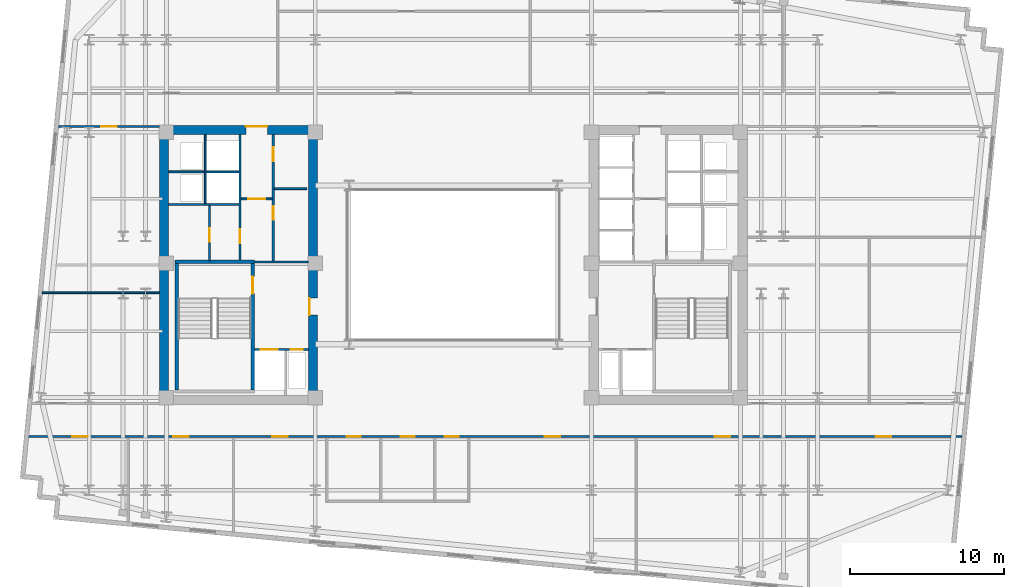
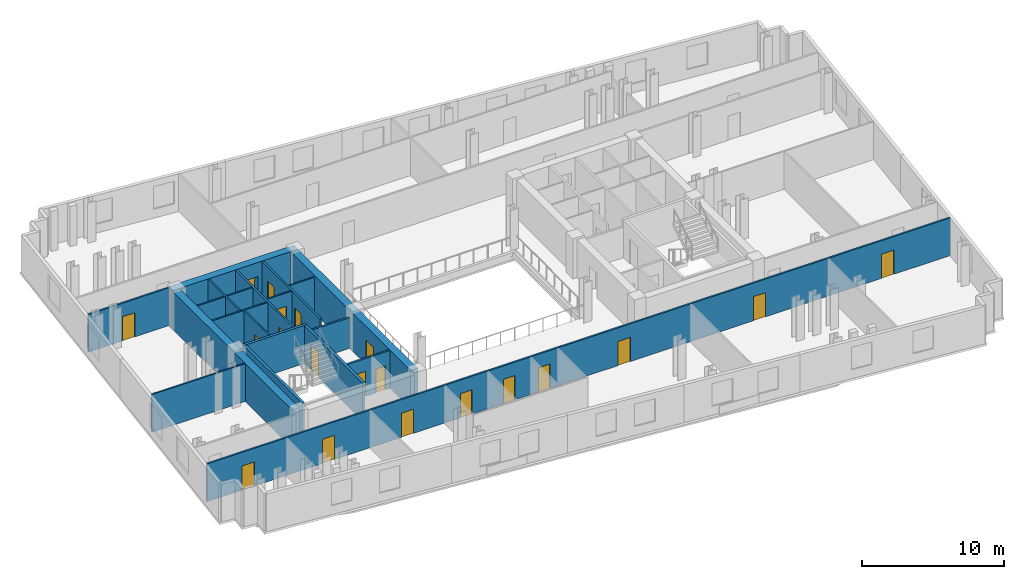
# One storey, part 4 of 9: 20 doors, 20 walls, 20 openings.
"""IFC4 building model written with IfcOpenShell, lengths in metres."""

import ifcopenshell
import ifcopenshell.guid

model = None  # the IFC model being written
_history = None  # IfcOwnerHistory: only IFC2X3 demands one
_inside = {}  # id of a spatial element -> (the spatial element, [elements in it])
_under = {}  # id of a project, library or spatial element -> (it, [spatial elements below it])
_declared = {}  # id of a project -> (the project, [libraries it declares])
_typed = {}  # id of a type object -> (the type object, [elements of that type])
_made_of = {}  # id of a material, layer set ... -> (it, [elements and type objects made of it])


def new_model(schema):
    """Start an empty IFC model of exactly this schema.

    Asked for "IFC4X3", IfcOpenShell would pick the latest addendum, in which some entities
    have other attributes; the version numbers below select the first issue.
    IFC2X3 requires an IfcOwnerHistory on every rooted entity: one is made here for all.
    """
    global model, _history
    if schema == "IFC4X3":
        model = ifcopenshell.file(schema_version=(4, 3, 0, 0))
    else:
        model = ifcopenshell.file(schema=schema)
    _inside.clear()
    _under.clear()
    _declared.clear()
    _typed.clear()
    _made_of.clear()
    _history = None
    if model.schema == "IFC2X3":
        org = make("IfcOrganization", Name="unknown")
        user = make(
            "IfcPersonAndOrganization",
            ThePerson=make("IfcPerson", FamilyName="unknown"),
            TheOrganization=org,
        )
        app = make(
            "IfcApplication",
            ApplicationDeveloper=org,
            Version="unknown",
            ApplicationFullName="unknown",
            ApplicationIdentifier="unknown",
        )
        _history = make(
            "IfcOwnerHistory",
            OwningUser=user,
            OwningApplication=app,
            ChangeAction="ADDED",
            CreationDate=0,
        )
    return model


def make(cls, **values):
    """One entity of the class cls with the attributes given. An attribute that is None is left unset."""
    return model.create_entity(
        cls, **{name: value for name, value in values.items() if value is not None}
    )


def rooted(cls, **values):
    """An entity with a GlobalId (a new one), such as an element, a storey or a relation."""
    return make(cls, GlobalId=ifcopenshell.guid.new(), OwnerHistory=_history, **values)


def si_unit(unit_type, name, prefix=None):
    """IfcSIUnit, for example si_unit("LENGTHUNIT", "METRE", prefix="MILLI")."""
    return make("IfcSIUnit", UnitType=unit_type, Prefix=prefix, Name=name)


def assignment(units):
    """IfcUnitAssignment: the units of a project."""
    return None if units is None else make("IfcUnitAssignment", Units=units)


def point(xyz):
    """IfcCartesianPoint."""
    return None if xyz is None else make("IfcCartesianPoint", Coordinates=xyz)


def direction(xyz):
    """IfcDirection."""
    return None if xyz is None else make("IfcDirection", DirectionRatios=xyz)


def frame(location, z_axis=None, x_axis=None):
    """IfcAxis2Placement3D, a coordinate frame: its origin and axes. An axis left out is left unset."""
    return make(
        "IfcAxis2Placement3D",
        Location=point(location),
        Axis=direction(z_axis),
        RefDirection=direction(x_axis),
    )


def frame_2d(location, x_axis=None):
    """IfcAxis2Placement2D, a coordinate frame in the plane: its origin and x axis."""
    return make(
        "IfcAxis2Placement2D", Location=point(location), RefDirection=direction(x_axis)
    )


def origin():
    """The frame at (0, 0, 0) with its axes left unset."""
    return frame((0.0, 0.0, 0.0))


def place(relative_to, where):
    """IfcLocalPlacement: puts the frame where relative to a parent placement (None: the world)."""
    return make(
        "IfcLocalPlacement", PlacementRelTo=relative_to, RelativePlacement=where
    )


def context(
    kind, dimensions, precision=None, world=None, true_north=None, identifier=None
):
    """IfcGeometricRepresentationContext, for example the 3D "Model" context."""
    return make(
        "IfcGeometricRepresentationContext",
        ContextIdentifier=identifier,
        ContextType=kind,
        CoordinateSpaceDimension=dimensions,
        Precision=precision,
        WorldCoordinateSystem=world,
        TrueNorth=true_north,
    )


def subcontext(parent, identifier, kind, view, scale=None):
    """IfcGeometricRepresentationSubContext, for example "Body" below "Model"."""
    return make(
        "IfcGeometricRepresentationSubContext",
        ContextIdentifier=identifier,
        ContextType=kind,
        ParentContext=parent,
        TargetScale=scale,
        TargetView=view,
    )


def project(units=None, contexts=None):
    """IfcProject with its units and contexts."""
    return rooted(
        "IfcProject",
        Name="project",
        RepresentationContexts=contexts,
        UnitsInContext=assignment(units),
    )


def spatial(cls, under=None, at=None, **own):
    """A site, building, storey or space (cls), placed at a placement, below another one or the project."""
    s = rooted(cls, ObjectPlacement=at, **own)
    if under is not None:
        _under.setdefault(under.id(), (under, []))[1].append(s)
    return s


def profile(cls, at=None, kind="AREA", **sizes):
    """A parametric profile (cls). Its sizes go by their IFC names, for example OverallWidth=200.0."""
    return make(cls, ProfileType=kind, Position=at, **sizes)


def rectangle(**sizes):
    """IfcRectangleProfileDef."""
    return profile("IfcRectangleProfileDef", **sizes)


def extrude(swept, where, along, depth):
    """IfcExtrudedAreaSolid: the profile swept, set in the frame where, extruded along a direction by depth."""
    return make(
        "IfcExtrudedAreaSolid",
        SweptArea=swept,
        Position=where,
        ExtrudedDirection=direction(along),
        Depth=depth,
    )


def shape(context_of_items, identifier, shape_type, items):
    """IfcShapeRepresentation: the items that make up one representation, for example the "Body"."""
    return make(
        "IfcShapeRepresentation",
        ContextOfItems=context_of_items,
        RepresentationIdentifier=identifier,
        RepresentationType=shape_type,
        Items=items,
    )


def material(Name=None, Category=None):
    """IfcMaterial."""
    return make("IfcMaterial", Name=Name, Category=Category)


def layer(
    of_material, thickness, ventilated=None, Name=None, Category=None, Priority=None
):
    """IfcMaterialLayer: one layer of a wall or slab, of a material (None: an air gap)."""
    return make(
        "IfcMaterialLayer",
        Material=of_material,
        LayerThickness=thickness,
        IsVentilated=ventilated,
        Name=Name,
        Category=Category,
        Priority=Priority,
    )


def layer_set(layers, Name=None):
    """IfcMaterialLayerSet."""
    return make("IfcMaterialLayerSet", MaterialLayers=layers, LayerSetName=Name)


def made_of(thing, what):
    """Note that an element or type object is made of a material, layer set ...; save() writes the relation."""
    if what is not None:
        _made_of.setdefault(what.id(), (what, []))[1].append(thing)
    return thing


def type_object(cls, material=None, **own):
    """A type object (cls), such as IfcWallType, which elements share."""
    return made_of(rooted(cls, **own), material)


def element(
    cls,
    number,
    at=None,
    inside=None,
    cuts=None,
    type_object=None,
    material=None,
    context=None,
    identifier="Body",
    shape_type=None,
    held_by="IfcProductDefinitionShape",
    body=None,
    shapes=None,
    **own,
):
    """One element of the class cls, such as IfcWall. Its Tag is "e" and its number.

    at: its placement. inside: the storey or other place that contains it. cuts: it is an
    opening in that element (IfcRelVoidsElement). A single representation is given by context,
    identifier, shape_type and body (its items); several are given by shapes. held_by: the class
    of the entity that holds the representations. save() writes the other relations.
    """
    e = rooted(cls, Tag="e%d" % number, ObjectPlacement=at, **own)
    if body is not None:
        shapes = [shape(context, identifier, shape_type, body)]
    if shapes is not None:
        e.Representation = make(held_by, Representations=shapes)
    if inside is not None:
        _inside.setdefault(inside.id(), (inside, []))[1].append(e)
    if cuts is not None:
        rooted(
            "IfcRelVoidsElement", RelatingBuildingElement=cuts, RelatedOpeningElement=e
        )
    if type_object is not None:
        _typed.setdefault(type_object.id(), (type_object, []))[1].append(e)
    return made_of(e, material)


def fill(opening, filler):
    """IfcRelFillsElement: the door or window that sits in an opening."""
    return rooted(
        "IfcRelFillsElement",
        RelatingOpeningElement=opening,
        RelatedBuildingElement=filler,
    )


def aggregate(whole, parts):
    """IfcRelAggregates: a whole, such as a stair, and the parts it consists of."""
    return rooted("IfcRelAggregates", RelatingObject=whole, RelatedObjects=parts)


def save(model, path):
    """Write the relations noted so far, then the file.

    IfcRelAggregates (storeys below a building ...), IfcRelContainedInSpatialStructure (elements
    in a storey), IfcRelDefinesByType, IfcRelAssociatesMaterial and IfcRelDeclares: one each for
    every whole, place, type object, material and project.
    """
    for whole, parts in _under.values():
        aggregate(whole, parts)
    for where, things in _inside.values():
        rooted(
            "IfcRelContainedInSpatialStructure",
            RelatedElements=things,
            RelatingStructure=where,
        )
    for kind, things in _typed.values():
        rooted("IfcRelDefinesByType", RelatedObjects=things, RelatingType=kind)
    for what, things in _made_of.values():
        rooted("IfcRelAssociatesMaterial", RelatedObjects=things, RelatingMaterial=what)
    for by, libraries in _declared.values():
        rooted("IfcRelDeclares", RelatingContext=by, RelatedDefinitions=libraries)
    model.write(path)


model = new_model("IFC4")

# Units and contexts
model_context = context("Model", 3, precision=1e-05, world=origin(), true_north=direction((0.0, 1.0)))
body_context = subcontext(model_context, "Body", "Model", "MODEL_VIEW")
ifc_project = project(units=[si_unit("LENGTHUNIT", "METRE"), si_unit("AREAUNIT", "SQUARE_METRE"), si_unit("VOLUMEUNIT", "CUBIC_METRE"), si_unit("PLANEANGLEUNIT", "RADIAN"), si_unit("MASSUNIT", "GRAM", prefix="KILO")], contexts=[model_context])

# Site, building, storey
site_placement = place(None, origin())
site = spatial("IfcSite", under=ifc_project, at=site_placement, CompositionType="ELEMENT")
building_placement = place(site_placement, origin())
building = spatial("IfcBuilding", under=site, at=building_placement, Name="Velakula Bourse", CompositionType="ELEMENT")
storey_placement = place(building_placement, frame((0.0, 0.0, 184.550048828125)))
storey = spatial("IfcBuildingStorey", under=building, at=storey_placement, Name="L50", CompositionType="ELEMENT", Elevation=184.550048828125)

# Wall, opening, door
ifc_material_1 = material(Name="Concrete M50 (fck 50 MPa)", Category="concrete")
ifc_layer_1 = layer(ifc_material_1, 0.2099609375, Name="Concrete M50 (fck 50 MPa)", Category="concrete")
ifc_layer_set_1 = layer_set([ifc_layer_1], Name="Concrete M50 (fck 50 MPa)")
wall_type_1 = type_object("IfcWallType", Name="WL-CORE-210", PredefinedType="SHEAR", material=ifc_layer_set_1)
wall_1_placement = place(storey_placement, frame((-12.9951171875, -8.10009765625, 0.0), z_axis=(0.0, 0.0, 1.0), x_axis=(0.0, 1.0, 0.0)))
wall_1 = element("IfcWall", 1, at=wall_1_placement, inside=storey, type_object=wall_type_1, Name="L50 Core W Stairwell Shear Wall IN", PredefinedType="SHEAR", context=body_context, shape_type="SweptSolid", body=[
    extrude(rectangle(XDim=8.2001953125, YDim=0.2099609375, at=frame_2d((4.10009765625, 0.0))), origin(), (0.0, 0.0, 1.0), 3.27001953125),
])
opening_1_placement = place(wall_1_placement, frame((6.25, 0.0, 0.0)))
opening_1 = element("IfcOpeningElement", 2, at=opening_1_placement, cuts=wall_1, Name="Opening D-STW1", PredefinedType="OPENING", context=body_context, shape_type="SweptSolid", body=[
    extrude(rectangle(XDim=1.10009765625, YDim=2.14990234375, at=frame_2d((0.550048828125, 1.074951171875))), frame((0.0, 0.114990234375, 0.0), z_axis=(0.0, -1.0, 0.0), x_axis=(1.0, 0.0, 0.0)), (0.0, 0.0, 1.0), 0.22998046875),
])
ifc_material_2 = material(Name="Galvanised painted hollow steel fire door", Category="steel")
door_type_1 = type_object("IfcDoorType", Name="DR-FD120-1100x2150", OperationType="NOTDEFINED", PredefinedType="DOOR", material=ifc_material_2)
door_1_placement = place(opening_1_placement, origin())
door_1 = element("IfcDoor", 3, at=door_1_placement, inside=storey, type_object=door_type_1, Name="L50 Stair ST-W1 Fire Door", OperationType="SINGLE_SWING_LEFT", OverallHeight=2.14990234375, OverallWidth=1.10009765625, PredefinedType="DOOR", context=body_context, shape_type="SweptSolid", body=[
    extrude(rectangle(XDim=1.10009765625, YDim=2.14990234375, at=frame_2d((0.550048828125, 1.074951171875))), frame((0.0, 0.02490234375, 0.0), z_axis=(0.0, -1.0, 0.0), x_axis=(1.0, 0.0, 0.0)), (0.0, 0.0, 1.0), 0.050048828125),
])
fill(opening_1, door_1)

# Walls
wall_2_placement = place(storey_placement, frame((-17.925048828125, -8.10009765625, 0.0), z_axis=(0.0, 0.0, 1.0), x_axis=(0.0, 1.0, 0.0)))
element("IfcWall", 4, at=wall_2_placement, inside=storey, type_object=wall_type_1, Name="L50 Core W Stairwell Shear Wall OUT", PredefinedType="SHEAR", context=body_context, shape_type="SweptSolid", body=[
    extrude(rectangle(XDim=8.2001953125, YDim=0.2099609375, at=frame_2d((4.10009765625, 0.0))), origin(), (0.0, 0.0, 1.0), 3.27001953125),
])
wall_3_placement = place(storey_placement, frame((-12.889892578125, 0.205078125, 0.0), z_axis=(0.0, 0.0, 1.0), x_axis=(-1.0, 0.0, 0.0)))
element("IfcWall", 5, at=wall_3_placement, inside=storey, type_object=wall_type_1, Name="L50 Core W Stairwell Shear Wall N", PredefinedType="SHEAR", context=body_context, shape_type="SweptSolid", body=[
    extrude(rectangle(XDim=5.14013671875, YDim=0.2099609375, at=frame_2d((2.570068359375, 0.0))), origin(), (0.0, 0.0, 1.0), 3.27001953125),
])

# Wall, opening, door
ifc_material_3 = material(Name="Concrete M70 (fck 70 MPa)", Category="concrete")
ifc_layer_2 = layer(ifc_material_3, 0.60009765625, Name="Concrete M70 (fck 70 MPa)", Category="concrete")
ifc_layer_set_2 = layer_set([ifc_layer_2], Name="Concrete M70 (fck 70 MPa)")
wall_type_2 = type_object("IfcWallType", Name="WL-CORE-600", PredefinedType="SHEAR", material=ifc_layer_set_2)
wall_4_placement = place(storey_placement, frame((-19.050048828125, 8.75, 0.0), z_axis=(0.0, 0.0, 1.0), x_axis=(1.0, 0.0, 0.0)))
wall_4 = element("IfcWall", 6, at=wall_4_placement, inside=storey, type_object=wall_type_2, Name="L50 Core W Shear Wall N", PredefinedType="SHEAR", context=body_context, shape_type="SweptSolid", body=[
    extrude(rectangle(XDim=10.25, YDim=0.60009765625, at=frame_2d((5.125, 0.0))), origin(), (0.0, 0.0, 1.0), 3.27001953125),
])
opening_2_placement = place(wall_4_placement, frame((5.60009765625, 0.0, 0.0)))
opening_2 = element("IfcOpeningElement", 7, at=opening_2_placement, cuts=wall_4, Name="Opening D-LLW", PredefinedType="OPENING", context=body_context, shape_type="SweptSolid", body=[
    extrude(rectangle(XDim=1.39990234375, YDim=2.050048828125, at=frame_2d((0.699951171875, 1.02490234375))), frame((0.0, 0.31005859375, 0.0), z_axis=(0.0, -1.0, 0.0), x_axis=(1.0, 0.0, 0.0)), (0.0, 0.0, 1.0), 0.6201171875),
])
ifc_material_4 = material(Name="Fire-rated hardwood flush architectural door", Category="wood")
door_type_2 = type_object("IfcDoorType", Name="DR-DBL-FD60-1400", OperationType="DOUBLE_DOOR_SINGLE_SWING", PredefinedType="DOOR", material=ifc_material_4)
door_2_placement = place(opening_2_placement, origin())
door_2 = element("IfcDoor", 8, at=door_2_placement, inside=storey, type_object=door_type_2, Name="L50 Core W Lift Lobby Corridor Double Door", OperationType="DOUBLE_DOOR_SINGLE_SWING", OverallHeight=2.050048828125, OverallWidth=1.39990234375, PredefinedType="DOOR", context=body_context, shape_type="SweptSolid", body=[
    extrude(rectangle(XDim=1.39990234375, YDim=2.050048828125, at=frame_2d((0.699951171875, 1.02490234375))), frame((0.0, 0.2451171875, 0.0), z_axis=(0.0, -1.0, 0.0), x_axis=(1.0, 0.0, 0.0)), (0.0, 0.0, 1.0), 0.050048828125),
])
fill(opening_2, door_2)

# Wall
wall_5_placement = place(storey_placement, frame((-18.75, -8.449951171875, 0.0), z_axis=(0.0, 0.0, 1.0), x_axis=(0.0, 1.0, 0.0)))
element("IfcWall", 9, at=wall_5_placement, inside=storey, type_object=wall_type_2, Name="L50 Core W Shear Wall W", PredefinedType="SHEAR", context=body_context, shape_type="SweptSolid", body=[
    extrude(rectangle(XDim=16.89990234375, YDim=0.60009765625, at=frame_2d((8.449951171875, 0.0))), origin(), (0.0, 0.0, 1.0), 3.27001953125),
])

# Wall, opening, door
wall_6_placement = place(storey_placement, frame((-9.10009765625, -8.449951171875, 0.0), z_axis=(0.0, 0.0, 1.0), x_axis=(0.0, 1.0, 0.0)))
wall_6 = element("IfcWall", 10, at=wall_6_placement, inside=storey, type_object=wall_type_2, Name="L50 Core W Shear Wall E", PredefinedType="SHEAR", context=body_context, shape_type="SweptSolid", body=[
    extrude(rectangle(XDim=16.89990234375, YDim=0.60009765625, at=frame_2d((8.449951171875, 0.0))), origin(), (0.0, 0.0, 1.0), 3.27001953125),
])
opening_3_placement = place(wall_6_placement, frame((5.199951171875, 0.0, 0.0)))
opening_3 = element("IfcOpeningElement", 11, at=opening_3_placement, cuts=wall_6, Name="Opening D-FLW", PredefinedType="OPENING", context=body_context, shape_type="SweptSolid", body=[
    extrude(rectangle(XDim=1.10009765625, YDim=2.080078125, at=frame_2d((0.550048828125, 1.0400390625))), frame((0.0, 0.31005859375, 0.0), z_axis=(0.0, -1.0, 0.0), x_axis=(1.0, 0.0, 0.0)), (0.0, 0.0, 1.0), 0.6201171875),
])
door_type_3 = type_object("IfcDoorType", Name="DR-FD120-1100", OperationType="NOTDEFINED", PredefinedType="DOOR", material=ifc_material_2)
door_3_placement = place(opening_3_placement, origin())
door_3 = element("IfcDoor", 12, at=door_3_placement, inside=storey, type_object=door_type_3, Name="L50 Firefighting Lobby W Corridor Fire Door", OperationType="SINGLE_SWING_LEFT", OverallHeight=2.080078125, OverallWidth=1.10009765625, PredefinedType="DOOR", context=body_context, shape_type="SweptSolid", body=[
    extrude(rectangle(XDim=1.10009765625, YDim=2.080078125, at=frame_2d((0.550048828125, 1.0400390625))), frame((0.0, 0.2548828125, 0.0), z_axis=(0.0, -1.0, 0.0), x_axis=(1.0, 0.0, 0.0)), (0.0, 0.0, 1.0), 0.050048828125),
])
fill(opening_3, door_3)

ifc_material_5 = material(Name="Fire-rated double-layer gypsum drywall partition", Category="gypsum")
ifc_layer_3 = layer(ifc_material_5, 0.1201171875, Name="Fire-rated double-layer gypsum drywall partition", Category="gypsum")
ifc_layer_set_3 = layer_set([ifc_layer_3], Name="Fire-rated double-layer gypsum drywall partition")
wall_type_3 = type_object("IfcWallType", Name="WL-PART-120", PredefinedType="STANDARD", material=ifc_layer_set_3)
wall_7_placement = place(storey_placement, frame((-13.75, 4.280029296875, 0.0), z_axis=(0.0, 0.0, 1.0), x_axis=(1.0, 0.0, 0.0)))
wall_7 = element("IfcWall", 13, at=wall_7_placement, inside=storey, type_object=wall_type_3, Name="L50 Interior Partition WL-CRW-L50-LL-K2", PredefinedType="STANDARD", context=body_context, shape_type="SweptSolid", body=[
    extrude(rectangle(XDim=2.0, YDim=0.1201171875, at=frame_2d((1.0, 0.0))), origin(), (0.0, 0.0, 1.0), 3.25),
])
opening_4_placement = place(wall_7_placement, frame((0.449951171875, 0.0, 0.0)))
opening_4 = element("IfcOpeningElement", 14, at=opening_4_placement, cuts=wall_7, Name="Opening D-LK2", PredefinedType="OPENING", context=body_context, shape_type="SweptSolid", body=[
    extrude(rectangle(XDim=1.10009765625, YDim=2.10009765625, at=frame_2d((0.550048828125, 1.050048828125))), frame((0.0, 0.070068359375, 0.0), z_axis=(0.0, -1.0, 0.0), x_axis=(1.0, 0.0, 0.0)), (0.0, 0.0, 1.0), 0.14013671875),
])
door_type_4 = type_object("IfcDoorType", Name="DR-FD60-1100x2100", OperationType="NOTDEFINED", PredefinedType="DOOR", material=ifc_material_4)
door_4_placement = place(opening_4_placement, origin())
door_4 = element("IfcDoor", 15, at=door_4_placement, inside=storey, type_object=door_type_4, Name="L50 Core W Lift Lobby Zone Door", OperationType="SINGLE_SWING_RIGHT", OverallHeight=2.10009765625, OverallWidth=1.10009765625, PredefinedType="DOOR", context=body_context, shape_type="SweptSolid", body=[
    extrude(rectangle(XDim=1.10009765625, YDim=2.10009765625, at=frame_2d((0.550048828125, 1.050048828125))), frame((0.0, 0.02490234375, 0.0), z_axis=(0.0, -1.0, 0.0), x_axis=(1.0, 0.0, 0.0)), (0.0, 0.0, 1.0), 0.050048828125),
])
fill(opening_4, door_4)

# Walls
wall_8_placement = place(storey_placement, frame((-11.60009765625, 4.949951171875, 0.0), z_axis=(0.0, 0.0, 1.0), x_axis=(1.0, 0.0, 0.0)))
element("IfcWall", 16, at=wall_8_placement, inside=storey, type_object=wall_type_3, Name="L50 Interior Partition WL-CRW-L50-RCDIV", PredefinedType="STANDARD", context=body_context, shape_type="SweptSolid", body=[
    extrude(rectangle(XDim=2.10009765625, YDim=0.1201171875, at=frame_2d((1.050048828125, 0.0))), origin(), (0.0, 0.0, 1.0), 3.25),
])
wall_9_placement = place(storey_placement, frame((-18.449951171875, 3.919921875, 0.0), z_axis=(0.0, 0.0, 1.0), x_axis=(1.0, 0.0, 0.0)))
element("IfcWall", 17, at=wall_9_placement, inside=storey, type_object=wall_type_3, Name="L50 Interior Partition WL-CRW-L50-HI-S", PredefinedType="STANDARD", context=body_context, shape_type="SweptSolid", body=[
    extrude(rectangle(XDim=4.550048828125, YDim=0.1201171875, at=frame_2d((2.27490234375, 0.0))), origin(), (0.0, 0.0, 1.0), 3.25),
])
wall_10_placement = place(storey_placement, frame((-18.449951171875, 6.030029296875, 0.0), z_axis=(0.0, 0.0, 1.0), x_axis=(1.0, 0.0, 0.0)))
element("IfcWall", 18, at=wall_10_placement, inside=storey, type_object=wall_type_3, Name="L50 Interior Partition WL-CRW-L50-RIS-MID", PredefinedType="STANDARD", context=body_context, shape_type="SweptSolid", body=[
    extrude(rectangle(XDim=2.300048828125, YDim=0.1201171875, at=frame_2d((1.14990234375, 0.0))), origin(), (0.0, 0.0, 1.0), 3.25),
])
wall_11_placement = place(storey_placement, frame((-16.074951171875, 3.97998046875, 0.0), z_axis=(0.0, 0.0, 1.0), x_axis=(0.0, 1.0, 0.0)))
element("IfcWall", 19, at=wall_11_placement, inside=storey, type_object=wall_type_3, Name="L50 Interior Partition WL-CRW-L50-RIS-F", PredefinedType="STANDARD", context=body_context, shape_type="SweptSolid", body=[
    extrude(rectangle(XDim=4.469970703125, YDim=0.1201171875, at=frame_2d((2.23486328125, 0.0))), origin(), (0.0, 0.0, 1.0), 3.25),
])
wall_12_placement = place(storey_placement, frame((-16.0, 6.030029296875, 0.0), z_axis=(0.0, 0.0, 1.0), x_axis=(1.0, 0.0, 0.0)))
element("IfcWall", 20, at=wall_12_placement, inside=storey, type_object=wall_type_3, Name="L50 Interior Partition WL-CRW-L50-HI-DIV", PredefinedType="STANDARD", context=body_context, shape_type="SweptSolid", body=[
    extrude(rectangle(XDim=2.10009765625, YDim=0.1201171875, at=frame_2d((1.050048828125, 0.0))), origin(), (0.0, 0.0, 1.0), 3.25),
])

# Wall, opening, door
wall_13_placement = place(storey_placement, frame((-15.800048828125, 0.27001953125, 0.0), z_axis=(0.0, 0.0, 1.0), x_axis=(0.0, 1.0, 0.0)))
wall_13 = element("IfcWall", 21, at=wall_13_placement, inside=storey, type_object=wall_type_3, Name="L50 Interior Partition WL-CRW-L50-K2", PredefinedType="STANDARD", context=body_context, shape_type="SweptSolid", body=[
    extrude(rectangle(XDim=3.590087890625, YDim=0.1201171875, at=frame_2d((1.794921875, 0.0))), origin(), (0.0, 0.0, 1.0), 3.25),
])
opening_5_placement = place(wall_13_placement, frame((1.25, 0.0, 0.0)))
opening_5 = element("IfcOpeningElement", 22, at=opening_5_placement, cuts=wall_13, Name="Opening D-CE1", PredefinedType="OPENING", context=body_context, shape_type="SweptSolid", body=[
    extrude(rectangle(XDim=0.85009765625, YDim=2.050048828125, at=frame_2d((0.425048828125, 1.02490234375))), frame((0.0, 0.070068359375, 0.0), z_axis=(0.0, -1.0, 0.0), x_axis=(1.0, 0.0, 0.0)), (0.0, 0.0, 1.0), 0.14013671875),
])
door_type_5 = type_object("IfcDoorType", Name="DR-INT-850", OperationType="NOTDEFINED", PredefinedType="DOOR", material=ifc_material_4)
door_5_placement = place(opening_5_placement, origin())
door_5 = element("IfcDoor", 23, at=door_5_placement, inside=storey, type_object=door_type_5, Name="L50 Core Equipment Store Door", OperationType="SINGLE_SWING_RIGHT", OverallHeight=2.050048828125, OverallWidth=0.85009765625, PredefinedType="DOOR", context=body_context, shape_type="SweptSolid", body=[
    extrude(rectangle(XDim=0.85009765625, YDim=2.050048828125, at=frame_2d((0.425048828125, 1.02490234375))), frame((0.0, 0.02490234375, 0.0), z_axis=(0.0, -1.0, 0.0), x_axis=(1.0, 0.0, 0.0)), (0.0, 0.0, 1.0), 0.050048828125),
])
fill(opening_5, door_5)

# Wall
wall_14_placement = place(storey_placement, frame((-26.642333984375, -1.800048828125, 0.0), z_axis=(0.0, 0.0, 1.0), x_axis=(1.0, 0.0, 0.0)))
element("IfcWall", 24, at=wall_14_placement, inside=storey, type_object=wall_type_3, Name="L50 Interior Partition WL-INT-L50-W-H", PredefinedType="STANDARD", context=body_context, shape_type="SweptSolid", body=[
    extrude(rectangle(XDim=7.59228515625, YDim=0.1201171875, at=frame_2d((3.796142578125, 0.0))), origin(), (0.0, 0.0, 1.0), 3.25),
])

# Wall, openings, doors
ifc_layer_4 = layer(ifc_material_5, 0.139892578125, Name="Fire-rated double-layer gypsum drywall partition", Category="gypsum")
ifc_layer_set_4 = layer_set([ifc_layer_4], Name="Fire-rated double-layer gypsum drywall partition")
wall_type_4 = type_object("IfcWallType", Name="WL-PART-140", PredefinedType="STANDARD", material=ifc_layer_set_4)
wall_15_placement = place(storey_placement, frame((-27.539794921875, -11.1201171875, 0.0), z_axis=(0.0, 0.0, 1.0), x_axis=(1.0, 0.0, 0.0)))
wall_15 = element("IfcWall", 25, at=wall_15_placement, inside=storey, type_object=wall_type_4, Name="L50 Interior Partition WL-INT-L50-S-CORR", PredefinedType="STANDARD", context=body_context, shape_type="SweptSolid", body=[
    extrude(rectangle(XDim=60.518798828125, YDim=0.139892578125, at=frame_2d((30.25927734375, 0.0))), origin(), (0.0, 0.0, 1.0), 3.25),
])
opening_6_placement = place(wall_15_placement, frame((20.629638671875, 0.0, 0.0)))
opening_6 = element("IfcOpeningElement", 26, at=opening_6_placement, cuts=wall_15, Name="Opening D-WT1", PredefinedType="OPENING", context=body_context, shape_type="SweptSolid", body=[
    extrude(rectangle(XDim=0.919921875, YDim=2.080078125, at=frame_2d((0.4599609375, 1.0400390625))), frame((0.0, 0.079833984375, 0.0), z_axis=(0.0, -1.0, 0.0), x_axis=(1.0, 0.0, 0.0)), (0.0, 0.0, 1.0), 0.159912109375),
])
opening_7_placement = place(wall_15_placement, frame((24.129638671875, 0.0, 0.0)))
opening_7 = element("IfcOpeningElement", 27, at=opening_7_placement, cuts=wall_15, Name="Opening D-WT1", PredefinedType="OPENING", context=body_context, shape_type="SweptSolid", body=[
    extrude(rectangle(XDim=0.919921875, YDim=2.080078125, at=frame_2d((0.4599609375, 1.0400390625))), frame((0.0, 0.079833984375, 0.0), z_axis=(0.0, -1.0, 0.0), x_axis=(1.0, 0.0, 0.0)), (0.0, 0.0, 1.0), 0.159912109375),
])
opening_8_placement = place(wall_15_placement, frame((26.979736328125, 0.0, 0.0)))
opening_8 = element("IfcOpeningElement", 28, at=opening_8_placement, cuts=wall_15, Name="Opening D-WC1", PredefinedType="OPENING", context=body_context, shape_type="SweptSolid", body=[
    extrude(rectangle(XDim=0.919921875, YDim=2.080078125, at=frame_2d((0.4599609375, 1.0400390625))), frame((0.0, 0.079833984375, 0.0), z_axis=(0.0, -1.0, 0.0), x_axis=(1.0, 0.0, 0.0)), (0.0, 0.0, 1.0), 0.159912109375),
])
opening_9_placement = place(wall_15_placement, frame((2.856201171875, 0.0, 0.0)))
opening_9 = element("IfcOpeningElement", 29, at=opening_9_placement, cuts=wall_15, Name="Opening D-OF1", PredefinedType="OPENING", context=body_context, shape_type="SweptSolid", body=[
    extrude(rectangle(XDim=1.0, YDim=2.080078125, at=frame_2d((0.5, 1.0400390625))), frame((0.0, 0.079833984375, 0.0), z_axis=(0.0, -1.0, 0.0), x_axis=(1.0, 0.0, 0.0)), (0.0, 0.0, 1.0), 0.159912109375),
])
opening_10_placement = place(wall_15_placement, frame((9.375732421875, 0.0, 0.0)))
opening_10 = element("IfcOpeningElement", 30, at=opening_10_placement, cuts=wall_15, Name="Opening D-OF1", PredefinedType="OPENING", context=body_context, shape_type="SweptSolid", body=[
    extrude(rectangle(XDim=1.0, YDim=2.080078125, at=frame_2d((0.5, 1.0400390625))), frame((0.0, 0.079833984375, 0.0), z_axis=(0.0, -1.0, 0.0), x_axis=(1.0, 0.0, 0.0)), (0.0, 0.0, 1.0), 0.159912109375),
])
opening_11_placement = place(wall_15_placement, frame((15.815185546875, 0.0, 0.0)))
opening_11 = element("IfcOpeningElement", 31, at=opening_11_placement, cuts=wall_15, Name="Opening D-OF1", PredefinedType="OPENING", context=body_context, shape_type="SweptSolid", body=[
    extrude(rectangle(XDim=1.0, YDim=2.080078125, at=frame_2d((0.5, 1.0400390625))), frame((0.0, 0.079833984375, 0.0), z_axis=(0.0, -1.0, 0.0), x_axis=(1.0, 0.0, 0.0)), (0.0, 0.0, 1.0), 0.159912109375),
])
opening_12_placement = place(wall_15_placement, frame((33.464599609375, 0.0, 0.0)))
opening_12 = element("IfcOpeningElement", 32, at=opening_12_placement, cuts=wall_15, Name="Opening D-OF1", PredefinedType="OPENING", context=body_context, shape_type="SweptSolid", body=[
    extrude(rectangle(XDim=1.0, YDim=2.080078125, at=frame_2d((0.5, 1.0400390625))), frame((0.0, 0.079833984375, 0.0), z_axis=(0.0, -1.0, 0.0), x_axis=(1.0, 0.0, 0.0)), (0.0, 0.0, 1.0), 0.159912109375),
])
opening_13_placement = place(wall_15_placement, frame((44.47412109375, 0.0, 0.0)))
opening_13 = element("IfcOpeningElement", 33, at=opening_13_placement, cuts=wall_15, Name="Opening D-OF1", PredefinedType="OPENING", context=body_context, shape_type="SweptSolid", body=[
    extrude(rectangle(XDim=1.0, YDim=2.080078125, at=frame_2d((0.5, 1.0400390625))), frame((0.0, 0.079833984375, 0.0), z_axis=(0.0, -1.0, 0.0), x_axis=(1.0, 0.0, 0.0)), (0.0, 0.0, 1.0), 0.159912109375),
])
opening_14_placement = place(wall_15_placement, frame((54.91259765625, 0.0, 0.0)))
opening_14 = element("IfcOpeningElement", 34, at=opening_14_placement, cuts=wall_15, Name="Opening D-OF1", PredefinedType="OPENING", context=body_context, shape_type="SweptSolid", body=[
    extrude(rectangle(XDim=1.0, YDim=2.080078125, at=frame_2d((0.5, 1.0400390625))), frame((0.0, 0.079833984375, 0.0), z_axis=(0.0, -1.0, 0.0), x_axis=(1.0, 0.0, 0.0)), (0.0, 0.0, 1.0), 0.159912109375),
])
door_type_6 = type_object("IfcDoorType", Name="DR-OFF-1000", OperationType="NOTDEFINED", PredefinedType="DOOR", material=ifc_material_4)
door_6_placement = place(opening_9_placement, origin())
door_6 = element("IfcDoor", 35, at=door_6_placement, inside=storey, type_object=door_type_6, Name="L50 Sky-Garden Veranda Lounge Door", OperationType="SINGLE_SWING_RIGHT", OverallHeight=2.080078125, OverallWidth=1.0, PredefinedType="DOOR", context=body_context, shape_type="SweptSolid", body=[
    extrude(rectangle(XDim=1.0, YDim=2.080078125, at=frame_2d((0.5, 1.0400390625))), frame((0.0, 0.02490234375, 0.0), z_axis=(0.0, -1.0, 0.0), x_axis=(1.0, 0.0, 0.0)), (0.0, 0.0, 1.0), 0.050048828125),
])
fill(opening_9, door_6)
door_7_placement = place(opening_10_placement, origin())
door_7 = element("IfcDoor", 36, at=door_7_placement, inside=storey, type_object=door_type_6, Name="L50 Broadcast Control Office Door", OperationType="SINGLE_SWING_LEFT", OverallHeight=2.080078125, OverallWidth=1.0, PredefinedType="DOOR", context=body_context, shape_type="SweptSolid", body=[
    extrude(rectangle(XDim=1.0, YDim=2.080078125, at=frame_2d((0.5, 1.0400390625))), frame((0.0, 0.02490234375, 0.0), z_axis=(0.0, -1.0, 0.0), x_axis=(1.0, 0.0, 0.0)), (0.0, 0.0, 1.0), 0.050048828125),
])
fill(opening_10, door_7)
door_8_placement = place(opening_11_placement, origin())
door_8 = element("IfcDoor", 37, at=door_8_placement, inside=storey, type_object=door_type_6, Name="L50 Listing Committee Chamber Door", OperationType="SINGLE_SWING_RIGHT", OverallHeight=2.080078125, OverallWidth=1.0, PredefinedType="DOOR", context=body_context, shape_type="SweptSolid", body=[
    extrude(rectangle(XDim=1.0, YDim=2.080078125, at=frame_2d((0.5, 1.0400390625))), frame((0.0, 0.02490234375, 0.0), z_axis=(0.0, -1.0, 0.0), x_axis=(1.0, 0.0, 0.0)), (0.0, 0.0, 1.0), 0.050048828125),
])
fill(opening_11, door_8)
door_9_placement = place(opening_12_placement, origin())
door_9 = element("IfcDoor", 38, at=door_9_placement, inside=storey, type_object=door_type_6, Name="L50 Traders Pantry Door", OperationType="SINGLE_SWING_LEFT", OverallHeight=2.080078125, OverallWidth=1.0, PredefinedType="DOOR", context=body_context, shape_type="SweptSolid", body=[
    extrude(rectangle(XDim=1.0, YDim=2.080078125, at=frame_2d((0.5, 1.0400390625))), frame((0.0, 0.02490234375, 0.0), z_axis=(0.0, -1.0, 0.0), x_axis=(1.0, 0.0, 0.0)), (0.0, 0.0, 1.0), 0.050048828125),
])
fill(opening_12, door_9)
door_10_placement = place(opening_13_placement, origin())
door_10 = element("IfcDoor", 39, at=door_10_placement, inside=storey, type_object=door_type_6, Name="L50 Equity Options Trading Workspace Door", OperationType="SINGLE_SWING_RIGHT", OverallHeight=2.080078125, OverallWidth=1.0, PredefinedType="DOOR", context=body_context, shape_type="SweptSolid", body=[
    extrude(rectangle(XDim=1.0, YDim=2.080078125, at=frame_2d((0.5, 1.0400390625))), frame((0.0, 0.02490234375, 0.0), z_axis=(0.0, -1.0, 0.0), x_axis=(1.0, 0.0, 0.0)), (0.0, 0.0, 1.0), 0.050048828125),
])
fill(opening_13, door_10)
door_11_placement = place(opening_14_placement, origin())
door_11 = element("IfcDoor", 40, at=door_11_placement, inside=storey, type_object=door_type_6, Name="L50 Primary Dealer Office Door", OperationType="SINGLE_SWING_LEFT", OverallHeight=2.080078125, OverallWidth=1.0, PredefinedType="DOOR", context=body_context, shape_type="SweptSolid", body=[
    extrude(rectangle(XDim=1.0, YDim=2.080078125, at=frame_2d((0.5, 1.0400390625))), frame((0.0, 0.02490234375, 0.0), z_axis=(0.0, -1.0, 0.0), x_axis=(1.0, 0.0, 0.0)), (0.0, 0.0, 1.0), 0.050048828125),
])
fill(opening_14, door_11)
door_type_7 = type_object("IfcDoorType", Name="DR-WC-950", OperationType="NOTDEFINED", PredefinedType="DOOR", material=ifc_material_4)
door_12_placement = place(opening_6_placement, origin())
door_12 = element("IfcDoor", 41, at=door_12_placement, inside=storey, type_object=door_type_7, Name="L50 Male Staff Toilet Door", OperationType="SINGLE_SWING_LEFT", OverallHeight=2.080078125, OverallWidth=0.919921875, PredefinedType="DOOR", context=body_context, shape_type="SweptSolid", body=[
    extrude(rectangle(XDim=0.919921875, YDim=2.080078125, at=frame_2d((0.4599609375, 1.0400390625))), frame((0.0, 0.02490234375, 0.0), z_axis=(0.0, -1.0, 0.0), x_axis=(1.0, 0.0, 0.0)), (0.0, 0.0, 1.0), 0.050048828125),
])
fill(opening_6, door_12)
door_13_placement = place(opening_7_placement, origin())
door_13 = element("IfcDoor", 42, at=door_13_placement, inside=storey, type_object=door_type_7, Name="L50 Female Staff Toilet Door", OperationType="SINGLE_SWING_RIGHT", OverallHeight=2.080078125, OverallWidth=0.919921875, PredefinedType="DOOR", context=body_context, shape_type="SweptSolid", body=[
    extrude(rectangle(XDim=0.919921875, YDim=2.080078125, at=frame_2d((0.4599609375, 1.0400390625))), frame((0.0, 0.02490234375, 0.0), z_axis=(0.0, -1.0, 0.0), x_axis=(1.0, 0.0, 0.0)), (0.0, 0.0, 1.0), 0.050048828125),
])
fill(opening_7, door_13)
door_14_placement = place(opening_8_placement, origin())
door_14 = element("IfcDoor", 43, at=door_14_placement, inside=storey, type_object=door_type_7, Name="L50 Accessible WC Door", OperationType="SINGLE_SWING_LEFT", OverallHeight=2.080078125, OverallWidth=0.919921875, PredefinedType="DOOR", context=body_context, shape_type="SweptSolid", body=[
    extrude(rectangle(XDim=0.919921875, YDim=2.080078125, at=frame_2d((0.4599609375, 1.0400390625))), frame((0.0, 0.02490234375, 0.0), z_axis=(0.0, -1.0, 0.0), x_axis=(1.0, 0.0, 0.0)), (0.0, 0.0, 1.0), 0.050048828125),
])
fill(opening_8, door_14)

# Wall, opening, door
wall_16_placement = place(storey_placement, frame((-25.604248046875, 8.97998046875, 0.0), z_axis=(0.0, 0.0, 1.0), x_axis=(1.0, 0.0, 0.0)))
wall_16 = element("IfcWall", 44, at=wall_16_placement, inside=storey, type_object=wall_type_4, Name="L50 Interior Partition WL-INT-L50-W-NC", PredefinedType="STANDARD", context=body_context, shape_type="SweptSolid", body=[
    extrude(rectangle(XDim=6.55419921875, YDim=0.139892578125, at=frame_2d((3.277099609375, 0.0))), origin(), (0.0, 0.0, 1.0), 3.25),
])
opening_15_placement = place(wall_16_placement, frame((2.777099609375, 0.0, 0.0)))
opening_15 = element("IfcOpeningElement", 45, at=opening_15_placement, cuts=wall_16, Name="Opening D-OF1", PredefinedType="OPENING", context=body_context, shape_type="SweptSolid", body=[
    extrude(rectangle(XDim=1.0, YDim=2.080078125, at=frame_2d((0.5, 1.0400390625))), frame((0.0, 0.079833984375, 0.0), z_axis=(0.0, -1.0, 0.0), x_axis=(1.0, 0.0, 0.0)), (0.0, 0.0, 1.0), 0.159912109375),
])
door_15_placement = place(opening_15_placement, origin())
door_15 = element("IfcDoor", 46, at=door_15_placement, inside=storey, type_object=door_type_6, Name="L50 Primary Dealer Office Door", OperationType="SINGLE_SWING_RIGHT", OverallHeight=2.080078125, OverallWidth=1.0, PredefinedType="DOOR", context=body_context, shape_type="SweptSolid", body=[
    extrude(rectangle(XDim=1.0, YDim=2.080078125, at=frame_2d((0.5, 1.0400390625))), frame((0.0, 0.02490234375, 0.0), z_axis=(0.0, -1.0, 0.0), x_axis=(1.0, 0.0, 0.0)), (0.0, 0.0, 1.0), 0.050048828125),
])
fill(opening_15, door_15)

# Wall, openings, doors
ifc_material_6 = material(Name="Autoclaved aerated concrete blockwork masonry", Category="masonry")
ifc_layer_5 = layer(ifc_material_6, 0.14990234375, Name="Autoclaved aerated concrete blockwork masonry", Category="masonry")
ifc_layer_set_5 = layer_set([ifc_layer_5], Name="Autoclaved aerated concrete blockwork masonry")
wall_type_5 = type_object("IfcWallType", Name="WL-SHAFT-150", PredefinedType="STANDARD", material=ifc_layer_set_5)
wall_17_placement = place(storey_placement, frame((-12.89501953125, -5.47509765625, 0.0), z_axis=(0.0, 0.0, 1.0), x_axis=(1.0, 0.0, 0.0)))
wall_17 = element("IfcWall", 47, at=wall_17_placement, inside=storey, type_object=wall_type_5, Name="L50 Interior Partition WL-CRW-L50-FFL-N", PredefinedType="STANDARD", context=body_context, shape_type="SweptSolid", body=[
    extrude(rectangle(XDim=3.4951171875, YDim=0.14990234375, at=frame_2d((1.74755859375, 0.0))), origin(), (0.0, 0.0, 1.0), 3.25),
])
opening_16_placement = place(wall_17_placement, frame((0.419921875, 0.0, 0.0)))
opening_16 = element("IfcOpeningElement", 48, at=opening_16_placement, cuts=wall_17, Name="Opening LD-FFL-1", PredefinedType="OPENING", context=body_context, shape_type="SweptSolid", body=[
    extrude(rectangle(XDim=1.10009765625, YDim=2.14990234375, at=frame_2d((0.550048828125, 1.074951171875))), frame((0.0, 0.0849609375, 0.0), z_axis=(0.0, -1.0, 0.0), x_axis=(1.0, 0.0, 0.0)), (0.0, 0.0, 1.0), 0.169921875),
])
opening_17_placement = place(wall_17_placement, frame((2.3701171875, 0.0, 0.0)))
opening_17 = element("IfcOpeningElement", 49, at=opening_17_placement, cuts=wall_17, Name="Opening D-RS1", PredefinedType="OPENING", context=body_context, shape_type="SweptSolid", body=[
    extrude(rectangle(XDim=0.75, YDim=2.050048828125, at=frame_2d((0.375, 1.02490234375))), frame((0.0, 0.0849609375, 0.0), z_axis=(0.0, -1.0, 0.0), x_axis=(1.0, 0.0, 0.0)), (0.0, 0.0, 1.0), 0.169921875),
])
door_type_8 = type_object("IfcDoorType", Name="DR-RISER-800", OperationType="NOTDEFINED", PredefinedType="DOOR", material=ifc_material_2)
door_16_placement = place(opening_17_placement, origin())
door_16 = element("IfcDoor", 50, at=door_16_placement, inside=storey, type_object=door_type_8, Name="L50 Fire Riser Access Door", OperationType="SINGLE_SWING_LEFT", OverallHeight=2.050048828125, OverallWidth=0.75, PredefinedType="DOOR", context=body_context, shape_type="SweptSolid", body=[
    extrude(rectangle(XDim=0.75, YDim=2.050048828125, at=frame_2d((0.375, 1.02490234375))), frame((0.0, 0.02490234375, 0.0), z_axis=(0.0, -1.0, 0.0), x_axis=(1.0, 0.0, 0.0)), (0.0, 0.0, 1.0), 0.050048828125),
])
fill(opening_17, door_16)
ifc_material_7 = material(Name="Brushed grade 316 stainless steel", Category="steel")
door_type_9 = type_object("IfcDoorType", Name="DR-SLIDE-FFL-1100", OperationType="DOUBLE_DOOR_SLIDING", PredefinedType="DOOR", material=ifc_material_7)
door_17_placement = place(opening_16_placement, origin())
door_17 = element("IfcDoor", 51, at=door_17_placement, inside=storey, type_object=door_type_9, Name="L50 Firefighting Lift FFL-1 Sliding Landing Door", OperationType="DOUBLE_DOOR_SLIDING", OverallHeight=2.14990234375, OverallWidth=1.10009765625, PredefinedType="DOOR", context=body_context, shape_type="SweptSolid", body=[
    extrude(rectangle(XDim=1.10009765625, YDim=2.14990234375, at=frame_2d((0.550048828125, 1.074951171875))), frame((0.0, 0.02490234375, 0.0), z_axis=(0.0, -1.0, 0.0), x_axis=(1.0, 0.0, 0.0)), (0.0, 0.0, 1.0), 0.050048828125),
])
fill(opening_16, door_17)

# Wall
wall_18_placement = place(storey_placement, frame((-12.889892578125, 0.18994140625, 0.0), z_axis=(0.0, 0.0, 1.0), x_axis=(1.0, 0.0, 0.0)))
element("IfcWall", 52, at=wall_18_placement, inside=storey, type_object=wall_type_5, Name="L50 Interior Partition WL-CRW-L50-FF-TOP", PredefinedType="STANDARD", context=body_context, shape_type="SweptSolid", body=[
    extrude(rectangle(XDim=3.489990234375, YDim=0.14990234375, at=frame_2d((1.7451171875, 0.0))), origin(), (0.0, 0.0, 1.0), 2.64501953125),
])

# Wall, openings, doors
wall_19_placement = place(storey_placement, frame((-11.675048828125, 0.27001953125, 0.0), z_axis=(0.0, 0.0, 1.0), x_axis=(0.0, 1.0, 0.0)))
wall_19 = element("IfcWall", 53, at=wall_19_placement, inside=storey, type_object=wall_type_5, Name="L50 Interior Partition WL-CRW-L50-BANK-F", PredefinedType="STANDARD", context=body_context, shape_type="SweptSolid", body=[
    extrude(rectangle(XDim=8.179931640625, YDim=0.14990234375, at=frame_2d((4.08984375, 0.0))), origin(), (0.0, 0.0, 1.0), 3.25),
])
opening_18_placement = place(wall_19_placement, frame((2.64990234375, 0.0, 0.0)))
opening_18 = element("IfcOpeningElement", 54, at=opening_18_placement, cuts=wall_19, Name="Opening D-RC1", PredefinedType="OPENING", context=body_context, shape_type="SweptSolid", body=[
    extrude(rectangle(XDim=0.89990234375, YDim=2.050048828125, at=frame_2d((0.449951171875, 1.02490234375))), frame((0.0, 0.0849609375, 0.0), z_axis=(0.0, -1.0, 0.0), x_axis=(1.0, 0.0, 0.0)), (0.0, 0.0, 1.0), 0.169921875),
])
opening_19_placement = place(wall_19_placement, frame((6.449951171875, 0.0, 0.0)))
opening_19 = element("IfcOpeningElement", 55, at=opening_19_placement, cuts=wall_19, Name="Opening D-RC1", PredefinedType="OPENING", context=body_context, shape_type="SweptSolid", body=[
    extrude(rectangle(XDim=0.89990234375, YDim=2.050048828125, at=frame_2d((0.449951171875, 1.02490234375))), frame((0.0, 0.0849609375, 0.0), z_axis=(0.0, -1.0, 0.0), x_axis=(1.0, 0.0, 0.0)), (0.0, 0.0, 1.0), 0.169921875),
])
door_type_10 = type_object("IfcDoorType", Name="DR-FD60-900", OperationType="NOTDEFINED", PredefinedType="DOOR", material=ifc_material_4)
door_18_placement = place(opening_18_placement, origin())
door_18 = element("IfcDoor", 56, at=door_18_placement, inside=storey, type_object=door_type_10, Name="L50 Reclaimed Archive Room Door", OperationType="SINGLE_SWING_RIGHT", OverallHeight=2.050048828125, OverallWidth=0.89990234375, PredefinedType="DOOR", context=body_context, shape_type="SweptSolid", body=[
    extrude(rectangle(XDim=0.89990234375, YDim=2.050048828125, at=frame_2d((0.449951171875, 1.02490234375))), frame((0.0, 0.02490234375, 0.0), z_axis=(0.0, -1.0, 0.0), x_axis=(1.0, 0.0, 0.0)), (0.0, 0.0, 1.0), 0.050048828125),
])
fill(opening_18, door_18)
door_19_placement = place(opening_19_placement, origin())
door_19 = element("IfcDoor", 57, at=door_19_placement, inside=storey, type_object=door_type_10, Name="L50 Reclaimed Registry Store Door", OperationType="SINGLE_SWING_LEFT", OverallHeight=2.050048828125, OverallWidth=0.89990234375, PredefinedType="DOOR", context=body_context, shape_type="SweptSolid", body=[
    extrude(rectangle(XDim=0.89990234375, YDim=2.050048828125, at=frame_2d((0.449951171875, 1.02490234375))), frame((0.0, 0.02490234375, 0.0), z_axis=(0.0, -1.0, 0.0), x_axis=(1.0, 0.0, 0.0)), (0.0, 0.0, 1.0), 0.050048828125),
])
fill(opening_19, door_19)

# Wall, opening, door
wall_20_placement = place(storey_placement, frame((-13.824951171875, 0.27001953125, 0.0), z_axis=(0.0, 0.0, 1.0), x_axis=(0.0, 1.0, 0.0)))
wall_20 = element("IfcWall", 58, at=wall_20_placement, inside=storey, type_object=wall_type_5, Name="L50 Interior Partition WL-CRW-L50-OUT-F", PredefinedType="STANDARD", context=body_context, shape_type="SweptSolid", body=[
    extrude(rectangle(XDim=8.179931640625, YDim=0.14990234375, at=frame_2d((4.08984375, 0.0))), origin(), (0.0, 0.0, 1.0), 3.25),
])
opening_20_placement = place(wall_20_placement, frame((1.14990234375, 0.0, 0.0)))
opening_20 = element("IfcOpeningElement", 59, at=opening_20_placement, cuts=wall_20, Name="Opening D-CP1", PredefinedType="OPENING", context=body_context, shape_type="SweptSolid", body=[
    extrude(rectangle(XDim=0.89990234375, YDim=2.050048828125, at=frame_2d((0.449951171875, 1.02490234375))), frame((0.0, 0.0849609375, 0.0), z_axis=(0.0, -1.0, 0.0), x_axis=(1.0, 0.0, 0.0)), (0.0, 0.0, 1.0), 0.169921875),
])
door_type_11 = type_object("IfcDoorType", Name="DR-INT-900", OperationType="NOTDEFINED", PredefinedType="DOOR", material=ifc_material_4)
door_20_placement = place(opening_20_placement, origin())
door_20 = element("IfcDoor", 60, at=door_20_placement, inside=storey, type_object=door_type_11, Name="L50 Core Tea Pantry Door", OperationType="SINGLE_SWING_RIGHT", OverallHeight=2.050048828125, OverallWidth=0.89990234375, PredefinedType="DOOR", context=body_context, shape_type="SweptSolid", body=[
    extrude(rectangle(XDim=0.89990234375, YDim=2.050048828125, at=frame_2d((0.449951171875, 1.02490234375))), frame((0.0, 0.02490234375, 0.0), z_axis=(0.0, -1.0, 0.0), x_axis=(1.0, 0.0, 0.0)), (0.0, 0.0, 1.0), 0.050048828125),
])
fill(opening_20, door_20)

save(model, "model.ifc")
